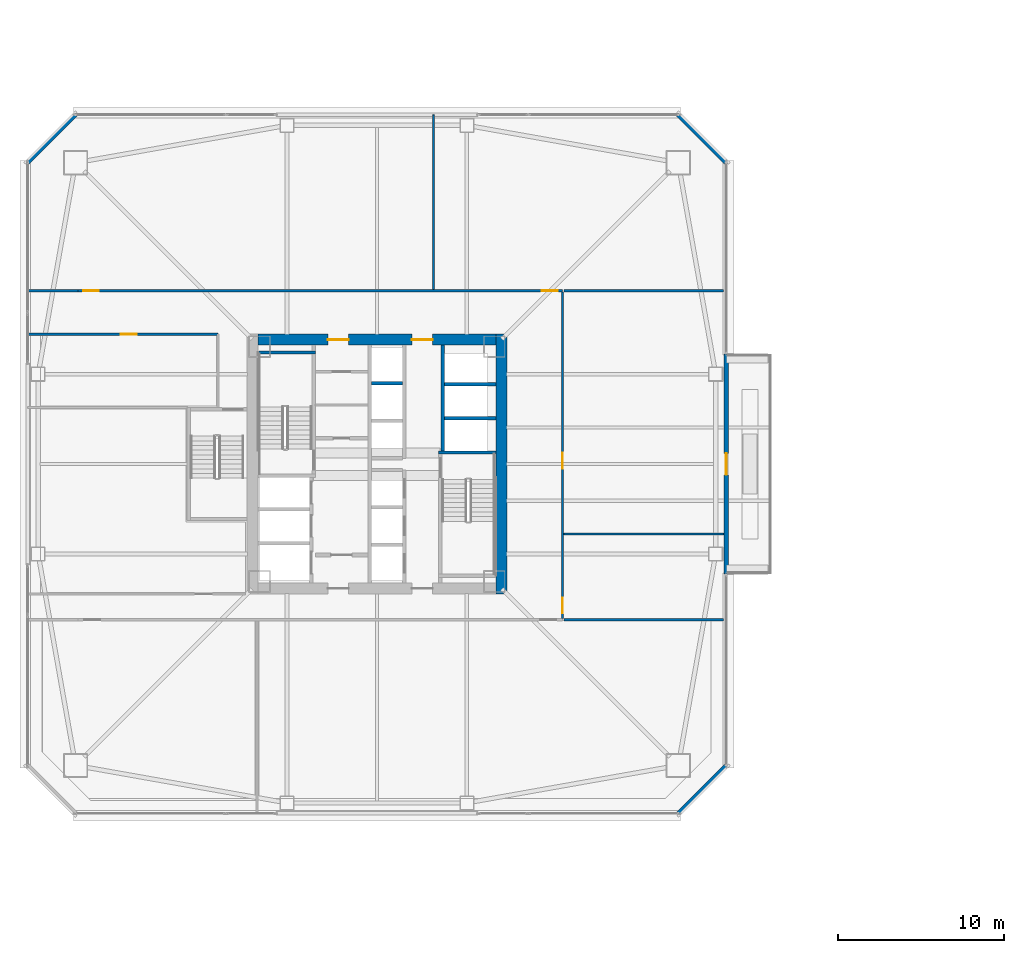
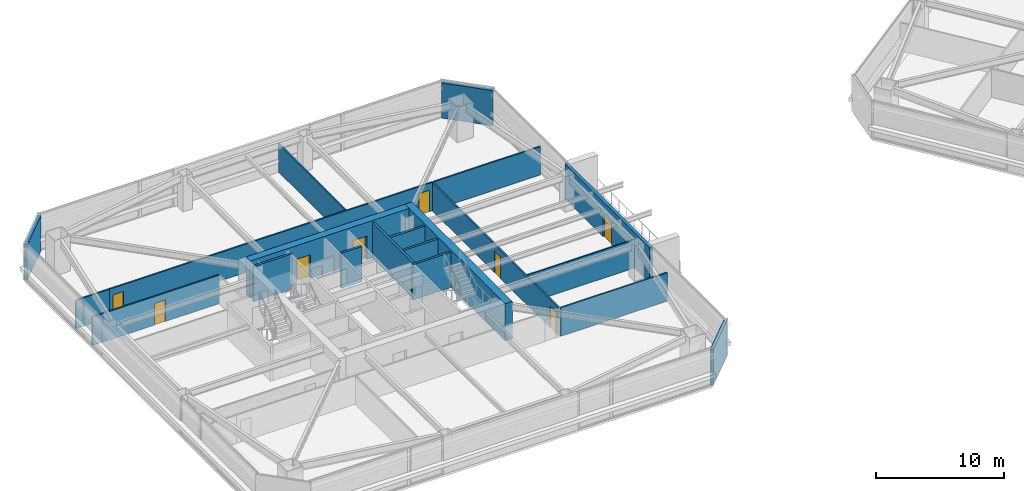
# One storey, part 36 of 46: 20 walls, 8 doors, 8 openings.
"""IFC4 building model written with IfcOpenShell, lengths in metres."""

from ifc_helpers import new_model, si_unit, direction, frame, frame_2d, origin, place, context, subcontext, project, spatial, rectangle, extrude, material, layer, layer_set, type_object, element, fill, save


model = new_model("IFC4")

# Units and contexts
model_context = context("Model", 3, precision=1e-05, world=origin(), true_north=direction((0.0, 1.0)))
body_context = subcontext(model_context, "Body", "Model", "MODEL_VIEW")
ifc_project = project(units=[si_unit("LENGTHUNIT", "METRE"), si_unit("AREAUNIT", "SQUARE_METRE"), si_unit("VOLUMEUNIT", "CUBIC_METRE"), si_unit("PLANEANGLEUNIT", "RADIAN"), si_unit("MASSUNIT", "GRAM", prefix="KILO")], contexts=[model_context])

# Site, building, storey
site_placement = place(None, origin())
site = spatial("IfcSite", under=ifc_project, at=site_placement, CompositionType="ELEMENT")
building_placement = place(site_placement, origin())
building = spatial("IfcBuilding", under=site, at=building_placement, Name="Tashvorn Skyway Center", CompositionType="ELEMENT")
storey_placement = place(building_placement, frame((0.0, 0.0, 99.14990234375)))
storey = spatial("IfcBuildingStorey", under=building, at=storey_placement, Name="L26", CompositionType="ELEMENT", Elevation=99.14990234375)

# Wall
ifc_material_1 = material(Name="Concrete C60/75", Category="concrete")
ifc_layer_1 = layer(ifc_material_1, 0.64990234375)
ifc_layer_set_1 = layer_set([ifc_layer_1], Name="Concrete C60/75")
wall_type_1 = type_object("IfcWallType", Name="WALL-CORE-650", PredefinedType="SHEAR", material=ifc_layer_set_1)
wall_1_placement = place(storey_placement, frame((49.47509765625, 39.800048828125, 0.0), z_axis=(0.0, 0.0, 1.0), x_axis=(0.0, -1.0, 0.0)))
element("IfcWall", 1, at=wall_1_placement, inside=storey, type_object=wall_type_1, Name="Tower 1 L26 East Core Shear Wall", PredefinedType="SHEAR", context=body_context, shape_type="SweptSolid", body=[
    extrude(rectangle(XDim=15.60009765625, YDim=0.64990234375, at=frame_2d((7.800048828125, 0.0))), origin(), (0.0, 0.0, 1.0), 3.550048828125),
])

# Wall, openings, doors
wall_2_placement = place(storey_placement, frame((34.85009765625, 39.47509765625, 0.0), z_axis=(0.0, 0.0, 1.0), x_axis=(1.0, 0.0, 0.0)))
wall_2 = element("IfcWall", 2, at=wall_2_placement, inside=storey, type_object=wall_type_1, Name="Tower 1 L26 North Core Shear Wall", PredefinedType="SHEAR", context=body_context, shape_type="SweptSolid", body=[
    extrude(rectangle(XDim=14.2998046875, YDim=0.64990234375, at=frame_2d((7.14990234375, 0.0))), origin(), (0.0, 0.0, 1.0), 3.550048828125),
])
opening_1_placement = place(wall_2_placement, frame((4.199951171875, 0.0, 0.0)))
opening_1 = element("IfcOpeningElement", 3, at=opening_1_placement, cuts=wall_2, Name="Opening D-FFL-1250", PredefinedType="OPENING", context=body_context, shape_type="SweptSolid", body=[
    extrude(rectangle(XDim=1.25, YDim=2.25, at=frame_2d((0.625, 1.125))), frame((0.0, 0.3349609375, 0.0), z_axis=(0.0, -1.0, 0.0), x_axis=(1.0, 0.0, 0.0)), (0.0, 0.0, 1.0), 0.669921875),
])
opening_2_placement = place(wall_2_placement, frame((9.25, 0.0, 0.0)))
opening_2 = element("IfcOpeningElement", 4, at=opening_2_placement, cuts=wall_2, Name="Opening D-FFL-1250", PredefinedType="OPENING", context=body_context, shape_type="SweptSolid", body=[
    extrude(rectangle(XDim=1.25, YDim=2.25, at=frame_2d((0.625, 1.125))), frame((0.0, 0.3349609375, 0.0), z_axis=(0.0, -1.0, 0.0), x_axis=(1.0, 0.0, 0.0)), (0.0, 0.0, 1.0), 0.669921875),
])
ifc_material_2 = material(Name="Hollow galvanized steel fire door assembly", Category="steel")
door_type_1 = type_object("IfcDoorType", Name="DOOR-FFL-1250", OperationType="NOTDEFINED", PredefinedType="DOOR", material=ifc_material_2)
door_1_placement = place(opening_1_placement, origin())
door_1 = element("IfcDoor", 5, at=door_1_placement, inside=storey, type_object=door_type_1, Name="Tower 1 L26 Core North Service Lobby Door", OperationType="SINGLE_SWING_LEFT", OverallHeight=2.25, OverallWidth=1.25, PredefinedType="DOOR", context=body_context, shape_type="SweptSolid", body=[
    extrude(rectangle(XDim=1.25, YDim=2.25, at=frame_2d((0.625, 1.125))), frame((0.0, 0.02490234375, 0.0), z_axis=(0.0, -1.0, 0.0), x_axis=(1.0, 0.0, 0.0)), (0.0, 0.0, 1.0), 0.050048828125),
])
fill(opening_1, door_1)
door_2_placement = place(opening_2_placement, origin())
door_2 = element("IfcDoor", 6, at=door_2_placement, inside=storey, type_object=door_type_1, Name="Tower 1 L26 Core North Lift Lobby Door", OperationType="SINGLE_SWING_RIGHT", OverallHeight=2.25, OverallWidth=1.25, PredefinedType="DOOR", context=body_context, shape_type="SweptSolid", body=[
    extrude(rectangle(XDim=1.25, YDim=2.25, at=frame_2d((0.625, 1.125))), frame((0.0, 0.02490234375, 0.0), z_axis=(0.0, -1.0, 0.0), x_axis=(1.0, 0.0, 0.0)), (0.0, 0.0, 1.0), 0.050048828125),
])
fill(opening_2, door_2)

# Wall, opening, door
ifc_material_3 = material(Name="Precast concrete C40/50", Category="concrete")
ifc_layer_2 = layer(ifc_material_3, 0.280029296875)
ifc_layer_set_2 = layer_set([ifc_layer_2], Name="Precast concrete C40/50")
wall_type_2 = type_object("IfcWallType", Name="WALL-EXT-280", PredefinedType="SOLIDWALL", material=ifc_layer_set_2)
wall_3_placement = place(storey_placement, frame((62.97998046875, 38.60009765625, 0.0), z_axis=(0.0, 0.0, 1.0), x_axis=(0.0, -1.0, 0.0)))
wall_3 = element("IfcWall", 7, at=wall_3_placement, inside=storey, type_object=wall_type_2, Name="Tower 1 L26 East Sky Garden Loggia Wall", PredefinedType="SOLIDWALL", context=body_context, shape_type="SweptSolid", body=[
    extrude(rectangle(XDim=13.2001953125, YDim=0.280029296875, at=frame_2d((6.60009765625, 0.0))), origin(), (0.0, 0.0, 1.0), 3.35009765625),
])
opening_3_placement = place(wall_3_placement, frame((5.949951171875, 0.0, 0.0)))
opening_3 = element("IfcOpeningElement", 8, at=opening_3_placement, cuts=wall_3, Name="Opening D-TER-1300", PredefinedType="OPENING", context=body_context, shape_type="SweptSolid", body=[
    extrude(rectangle(XDim=1.300048828125, YDim=2.14990234375, at=frame_2d((0.64990234375, 1.074951171875))), frame((0.0, 0.14990234375, 0.0), z_axis=(0.0, -1.0, 0.0), x_axis=(1.0, 0.0, 0.0)), (0.0, 0.0, 1.0), 0.300048828125),
])
ifc_material_4 = material(Name="Thermally broken bronze-anodized aluminium 6063-T6", Category="aluminium")
door_type_2 = type_object("IfcDoorType", Name="DOOR-TERR-1300", OperationType="NOTDEFINED", PredefinedType="DOOR", material=ifc_material_4)
door_3_placement = place(opening_3_placement, origin())
door_3 = element("IfcDoor", 9, at=door_3_placement, inside=storey, type_object=door_type_2, Name="Tower 1 L26 Sky Garden Access Door", OperationType="SINGLE_SWING_RIGHT", OverallHeight=2.14990234375, OverallWidth=1.300048828125, PredefinedType="DOOR", context=body_context, shape_type="SweptSolid", body=[
    extrude(rectangle(XDim=1.300048828125, YDim=2.14990234375, at=frame_2d((0.64990234375, 1.074951171875))), frame((0.0, 0.02490234375, 0.0), z_axis=(0.0, -1.0, 0.0), x_axis=(1.0, 0.0, 0.0)), (0.0, 0.0, 1.0), 0.050048828125),
])
fill(opening_3, door_3)

# Walls
for number, where, z_axis, x_axis, name in (
    (10, (21.0, 50.10009765625, 0.0), (0.0, 0.0, 1.0), (0.707106781187, 0.707106781187, 0.0), "Tower 1 L26 NW Precast Chamfer Wall"),
    (11, (60.10009765625, 53.0, 0.0), (0.0, 0.0, 1.0), (0.707106781187, -0.707106781187, 0.0), "Tower 1 L26 NE Precast Chamfer Wall"),
    (12, (63.0, 13.89990234375, 0.0), (0.0, 0.0, 1.0), (-0.707106781187, -0.707106781187, 0.0), "Tower 1 L26 SE Precast Chamfer Wall"),
):
    element("IfcWall", number, at=place(storey_placement, frame(where, z_axis=z_axis, x_axis=x_axis)), inside=storey, type_object=wall_type_2, Name=name, PredefinedType="SOLIDWALL", context=body_context, shape_type="SweptSolid", body=[
        extrude(rectangle(XDim=4.10107421875, YDim=0.280029296875, at=frame_2d((2.050537109375, 0.0))), origin(), (0.0, 0.0, 1.0), 3.35009765625),
    ])
ifc_material_5 = material(Name="Gypsum board on cold-formed steel stud framing", Category="steel")
ifc_layer_3 = layer(ifc_material_5, 0.110107421875)
ifc_layer_set_3 = layer_set([ifc_layer_3], Name="Gypsum board on cold-formed steel stud framing")
wall_type_3 = type_object("IfcWallType", Name="WALL-PART-110", PredefinedType="PARTITIONING", material=ifc_layer_set_3)
wall_4_placement = place(storey_placement, frame((45.39990234375, 42.5, 0.0), z_axis=(0.0, 0.0, 1.0), x_axis=(0.0, 1.0, 0.0)))
element("IfcWall", 13, at=wall_4_placement, inside=storey, type_object=wall_type_3, Name="Tower 1 L26 North Suite Partition 1", PredefinedType="PARTITIONING", context=body_context, shape_type="SweptSolid", body=[
    extrude(rectangle(XDim=10.47998046875, YDim=0.110107421875, at=frame_2d((5.239990234375, 0.0))), origin(), (0.0, 0.0, 1.0), 2.703125),
])
wall_5_placement = place(storey_placement, frame((53.22998046875, 27.800048828125, 0.0), z_axis=(0.0, 0.0, 1.0), x_axis=(1.0, 0.0, 0.0)))
element("IfcWall", 14, at=wall_5_placement, inside=storey, type_object=wall_type_3, Name="Tower 1 L26 East Suite Partition 1", PredefinedType="PARTITIONING", context=body_context, shape_type="SweptSolid", body=[
    extrude(rectangle(XDim=9.60009765625, YDim=0.110107421875, at=frame_2d((4.800048828125, 0.0))), origin(), (0.0, 0.0, 1.0), 2.703125),
])

# Wall, openings, doors
ifc_layer_4 = layer(ifc_material_5, 0.135009765625)
ifc_layer_set_4 = layer_set([ifc_layer_4], Name="Gypsum board on cold-formed steel stud framing")
wall_type_4 = type_object("IfcWallType", Name="WALL-PART-135", PredefinedType="PARTITIONING", material=ifc_layer_set_4)
wall_6_placement = place(storey_placement, frame((24.050048828125, 42.419921875, 0.0), z_axis=(0.0, 0.0, 1.0), x_axis=(1.0, 0.0, 0.0)))
wall_6 = element("IfcWall", 15, at=wall_6_placement, inside=storey, type_object=wall_type_4, Name="Tower 1 L26 North Suite Wall", PredefinedType="PARTITIONING", context=body_context, shape_type="SweptSolid", body=[
    extrude(rectangle(XDim=29.099853515625, YDim=0.135009765625, at=frame_2d((14.5498046875, 0.0))), origin(), (0.0, 0.0, 1.0), 2.703125),
])
opening_4_placement = place(wall_6_placement, frame((0.300048828125, 0.0, 0.0)))
opening_4 = element("IfcOpeningElement", 16, at=opening_4_placement, cuts=wall_6, Name="Opening D-INT-950", PredefinedType="OPENING", context=body_context, shape_type="SweptSolid", body=[
    extrude(rectangle(XDim=0.949951171875, YDim=2.050048828125, at=frame_2d((0.47509765625, 1.02490234375))), frame((0.0, 0.077392578125, 0.0), z_axis=(0.0, -1.0, 0.0), x_axis=(1.0, 0.0, 0.0)), (0.0, 0.0, 1.0), 0.155029296875),
])
opening_5_placement = place(wall_6_placement, frame((27.85009765625, 0.0, 0.0)))
opening_5 = element("IfcOpeningElement", 17, at=opening_5_placement, cuts=wall_6, Name="Opening D-INT-950", PredefinedType="OPENING", context=body_context, shape_type="SweptSolid", body=[
    extrude(rectangle(XDim=0.949951171875, YDim=2.050048828125, at=frame_2d((0.47509765625, 1.02490234375))), frame((0.0, 0.077392578125, 0.0), z_axis=(0.0, -1.0, 0.0), x_axis=(1.0, 0.0, 0.0)), (0.0, 0.0, 1.0), 0.155029296875),
])
ifc_material_6 = material(Name="Solid-core architectural oak veneer door")
door_type_3 = type_object("IfcDoorType", Name="DOOR-INT-950", OperationType="NOTDEFINED", PredefinedType="DOOR", material=ifc_material_6)
door_4_placement = place(opening_4_placement, origin())
door_4 = element("IfcDoor", 18, at=door_4_placement, inside=storey, type_object=door_type_3, Name="Tower 1 L26 Wellness Clinic Door", OperationType="SINGLE_SWING_LEFT", OverallHeight=2.050048828125, OverallWidth=0.949951171875, PredefinedType="DOOR", context=body_context, shape_type="SweptSolid", body=[
    extrude(rectangle(XDim=0.949951171875, YDim=2.050048828125, at=frame_2d((0.47509765625, 1.02490234375))), frame((0.0, 0.02490234375, 0.0), z_axis=(0.0, -1.0, 0.0), x_axis=(1.0, 0.0, 0.0)), (0.0, 0.0, 1.0), 0.050048828125),
])
fill(opening_4, door_4)
door_5_placement = place(opening_5_placement, origin())
door_5 = element("IfcDoor", 19, at=door_5_placement, inside=storey, type_object=door_type_3, Name="Tower 1 L26 Wellness Clinic Door", OperationType="SINGLE_SWING_RIGHT", OverallHeight=2.050048828125, OverallWidth=0.949951171875, PredefinedType="DOOR", context=body_context, shape_type="SweptSolid", body=[
    extrude(rectangle(XDim=0.949951171875, YDim=2.050048828125, at=frame_2d((0.47509765625, 1.02490234375))), frame((0.0, 0.02490234375, 0.0), z_axis=(0.0, -1.0, 0.0), x_axis=(1.0, 0.0, 0.0)), (0.0, 0.0, 1.0), 0.050048828125),
])
fill(opening_5, door_5)

# Wall
wall_7_placement = place(storey_placement, frame((21.02001953125, 42.419921875, 0.0), z_axis=(0.0, 0.0, 1.0), x_axis=(1.0, 0.0, 0.0)))
element("IfcWall", 20, at=wall_7_placement, inside=storey, type_object=wall_type_4, Name="Tower 1 L26 North-West Suite South Wall", PredefinedType="PARTITIONING", context=body_context, shape_type="SweptSolid", body=[
    extrude(rectangle(XDim=3.030029296875, YDim=0.135009765625, at=frame_2d((1.51513671875, 0.0))), origin(), (0.0, 0.0, 1.0), 2.703125),
])

# Wall, openings, doors
wall_8_placement = place(storey_placement, frame((53.14990234375, 42.340087890625, 0.0), z_axis=(0.0, 0.0, 1.0), x_axis=(0.0, -1.0, 0.0)))
wall_8 = element("IfcWall", 21, at=wall_8_placement, inside=storey, type_object=wall_type_4, Name="Tower 1 L26 East Inner Suite Wall", PredefinedType="PARTITIONING", context=body_context, shape_type="SweptSolid", body=[
    extrude(rectangle(XDim=19.610107421875, YDim=0.135009765625, at=frame_2d((9.80517578125, 0.0))), origin(), (0.0, 0.0, 1.0), 2.703125),
])
opening_6_placement = place(wall_8_placement, frame((18.360107421875, 0.0, 0.0)))
opening_6 = element("IfcOpeningElement", 22, at=opening_6_placement, cuts=wall_8, Name="Opening D-INT-950", PredefinedType="OPENING", context=body_context, shape_type="SweptSolid", body=[
    extrude(rectangle(XDim=0.949951171875, YDim=2.050048828125, at=frame_2d((0.47509765625, 1.02490234375))), frame((0.0, 0.077392578125, 0.0), z_axis=(0.0, -1.0, 0.0), x_axis=(1.0, 0.0, 0.0)), (0.0, 0.0, 1.0), 0.155029296875),
])
opening_7_placement = place(wall_8_placement, frame((9.666015625, 0.0, 0.0)))
opening_7 = element("IfcOpeningElement", 23, at=opening_7_placement, cuts=wall_8, Name="Opening D-INT-950", PredefinedType="OPENING", context=body_context, shape_type="SweptSolid", body=[
    extrude(rectangle(XDim=0.949951171875, YDim=2.050048828125, at=frame_2d((0.47509765625, 1.02490234375))), frame((0.0, 0.077392578125, 0.0), z_axis=(0.0, -1.0, 0.0), x_axis=(1.0, 0.0, 0.0)), (0.0, 0.0, 1.0), 0.155029296875),
])
door_6_placement = place(opening_6_placement, origin())
door_6 = element("IfcDoor", 24, at=door_6_placement, inside=storey, type_object=door_type_3, Name="Tower 1 L26 Operations Control Room Door", OperationType="SINGLE_SWING_LEFT", OverallHeight=2.050048828125, OverallWidth=0.949951171875, PredefinedType="DOOR", context=body_context, shape_type="SweptSolid", body=[
    extrude(rectangle(XDim=0.949951171875, YDim=2.050048828125, at=frame_2d((0.47509765625, 1.02490234375))), frame((0.0, 0.02490234375, 0.0), z_axis=(0.0, -1.0, 0.0), x_axis=(1.0, 0.0, 0.0)), (0.0, 0.0, 1.0), 0.050048828125),
])
fill(opening_6, door_6)
door_7_placement = place(opening_7_placement, origin())
door_7 = element("IfcDoor", 25, at=door_7_placement, inside=storey, type_object=door_type_3, Name="Tower 1 L26 Public Restroom Door", OperationType="SINGLE_SWING_RIGHT", OverallHeight=2.050048828125, OverallWidth=0.949951171875, PredefinedType="DOOR", context=body_context, shape_type="SweptSolid", body=[
    extrude(rectangle(XDim=0.949951171875, YDim=2.050048828125, at=frame_2d((0.47509765625, 1.02490234375))), frame((0.0, 0.02490234375, 0.0), z_axis=(0.0, -1.0, 0.0), x_axis=(1.0, 0.0, 0.0)), (0.0, 0.0, 1.0), 0.050048828125),
])
fill(opening_7, door_7)

# Walls
for number, where, z_axis, x_axis, name in (
    (26, (62.830078125, 42.419921875, 0.0), (0.0, 0.0, 1.0), (-1.0, 0.0, 0.0), "Tower 1 L26 East Suite North Wall"),
    (27, (53.22998046875, 22.64990234375, 0.0), (0.0, 0.0, 1.0), (1.0, 0.0, 0.0), "Tower 1 L26 East Suite South Wall"),
):
    element("IfcWall", number, at=place(storey_placement, frame(where, z_axis=z_axis, x_axis=x_axis)), inside=storey, type_object=wall_type_4, Name=name, PredefinedType="PARTITIONING", context=body_context, shape_type="SweptSolid", body=[
        extrude(rectangle(XDim=9.60009765625, YDim=0.135009765625, at=frame_2d((4.800048828125, 0.0))), origin(), (0.0, 0.0, 1.0), 2.703125),
    ])

# Wall, opening, door
wall_9_placement = place(storey_placement, frame((32.449951171875, 39.800048828125, 0.0), z_axis=(0.0, 0.0, 1.0), x_axis=(-1.0, 0.0, 0.0)))
wall_9 = element("IfcWall", 28, at=wall_9_placement, inside=storey, type_object=wall_type_4, Name="Tower 1 L26 West Suite North Wall", PredefinedType="PARTITIONING", context=body_context, shape_type="SweptSolid", body=[
    extrude(rectangle(XDim=11.429931640625, YDim=0.135009765625, at=frame_2d((5.71484375, 0.0))), origin(), (0.0, 0.0, 1.0), 2.703125),
])
opening_8_placement = place(wall_9_placement, frame((4.889892578125, 0.0, 0.0)))
opening_8 = element("IfcOpeningElement", 29, at=opening_8_placement, cuts=wall_9, Name="Opening D-INT-950", PredefinedType="OPENING", context=body_context, shape_type="SweptSolid", body=[
    extrude(rectangle(XDim=0.949951171875, YDim=2.050048828125, at=frame_2d((0.47509765625, 1.02490234375))), frame((0.0, 0.077392578125, 0.0), z_axis=(0.0, -1.0, 0.0), x_axis=(1.0, 0.0, 0.0)), (0.0, 0.0, 1.0), 0.155029296875),
])
door_8_placement = place(opening_8_placement, origin())
door_8 = element("IfcDoor", 30, at=door_8_placement, inside=storey, type_object=door_type_3, Name="Tower 1 L26 Corporate Office Door", OperationType="SINGLE_SWING_LEFT", OverallHeight=2.050048828125, OverallWidth=0.949951171875, PredefinedType="DOOR", context=body_context, shape_type="SweptSolid", body=[
    extrude(rectangle(XDim=0.949951171875, YDim=2.050048828125, at=frame_2d((0.47509765625, 1.02490234375))), frame((0.0, 0.02490234375, 0.0), z_axis=(0.0, -1.0, 0.0), x_axis=(1.0, 0.0, 0.0)), (0.0, 0.0, 1.0), 0.050048828125),
])
fill(opening_8, door_8)

# Walls
ifc_material_7 = material(Name="Concrete C40/50", Category="concrete")
ifc_layer_5 = layer(ifc_material_7, 0.199951171875)
ifc_layer_set_5 = layer_set([ifc_layer_5], Name="Concrete C40/50")
wall_type_5 = type_object("IfcWallType", Name="WALL-SHAFT-200", PredefinedType="SOLIDWALL", material=ifc_layer_set_5)
for number, where, z_axis, x_axis, name in (
    (31, (46.050048828125, 34.75, 0.0), (0.0, 0.0, 1.0), (1.0, 0.0, 0.0), "Tower 1 L26 High-Rise Shaft Divider"),
    (32, (46.050048828125, 36.800048828125, 0.0), (0.0, 0.0, 1.0), (1.0, 0.0, 0.0), "Tower 1 L26 High-Rise Shaft Divider"),
):
    element("IfcWall", number, at=place(storey_placement, frame(where, z_axis=z_axis, x_axis=x_axis)), inside=storey, type_object=wall_type_5, Name=name, PredefinedType="SOLIDWALL", context=body_context, shape_type="SweptSolid", body=[
        extrude(rectangle(XDim=3.099853515625, YDim=0.199951171875, at=frame_2d((1.5498046875, 0.0))), origin(), (0.0, 0.0, 1.0), 3.35009765625),
    ])
wall_10_placement = place(storey_placement, frame((41.669921875, 36.85009765625, 0.0), z_axis=(0.0, 0.0, 1.0), x_axis=(1.0, 0.0, 0.0)))
element("IfcWall", 33, at=wall_10_placement, inside=storey, type_object=wall_type_5, Name="Tower 1 L26 Mid-Rise Shaft Divider", PredefinedType="SOLIDWALL", context=body_context, shape_type="SweptSolid", body=[
    extrude(rectangle(XDim=1.880126953125, YDim=0.199951171875, at=frame_2d((0.93994140625, 0.0))), origin(), (0.0, 0.0, 1.0), 3.35009765625),
])
ifc_layer_6 = layer(ifc_material_7, 0.199951171875)
ifc_layer_set_6 = layer_set([ifc_layer_6], Name="Concrete C40/50")
wall_type_6 = type_object("IfcWallType", Name="WALL-STSHF-200", PredefinedType="SHEAR", material=ifc_layer_set_6)
for number, where, z_axis, x_axis, name in (
    (34, (34.85009765625, 38.699951171875, 0.0), (0.0, 0.0, 1.0), (1.0, 0.0, 0.0), "Tower 1 L26 Stair 1 North Wall"),
    (35, (45.699951171875, 32.699951171875, 0.0), (0.0, 0.0, 1.0), (1.0, 0.0, 0.0), "Tower 1 L26 Stair 2 North Wall"),
):
    element("IfcWall", number, at=place(storey_placement, frame(where, z_axis=z_axis, x_axis=x_axis)), inside=storey, type_object=wall_type_6, Name=name, PredefinedType="SHEAR", context=body_context, shape_type="SweptSolid", body=[
        extrude(rectangle(XDim=3.449951171875, YDim=0.199951171875, at=frame_2d((1.72509765625, 0.0))), origin(), (0.0, 0.0, 1.0), 3.35009765625),
    ])
wall_11_placement = place(storey_placement, frame((45.949951171875, 39.14990234375, 0.0), z_axis=(0.0, 0.0, 1.0), x_axis=(0.0, -1.0, 0.0)))
element("IfcWall", 36, at=wall_11_placement, inside=storey, type_object=wall_type_6, Name="Tower 1 L26 High-Rise Lift Shaft Front Wall", PredefinedType="SHEAR", context=body_context, shape_type="SweptSolid", body=[
    extrude(rectangle(XDim=6.349853515625, YDim=0.199951171875, at=frame_2d((3.1748046875, 0.0))), origin(), (0.0, 0.0, 1.0), 3.35009765625),
])

save(model, "model.ifc")
